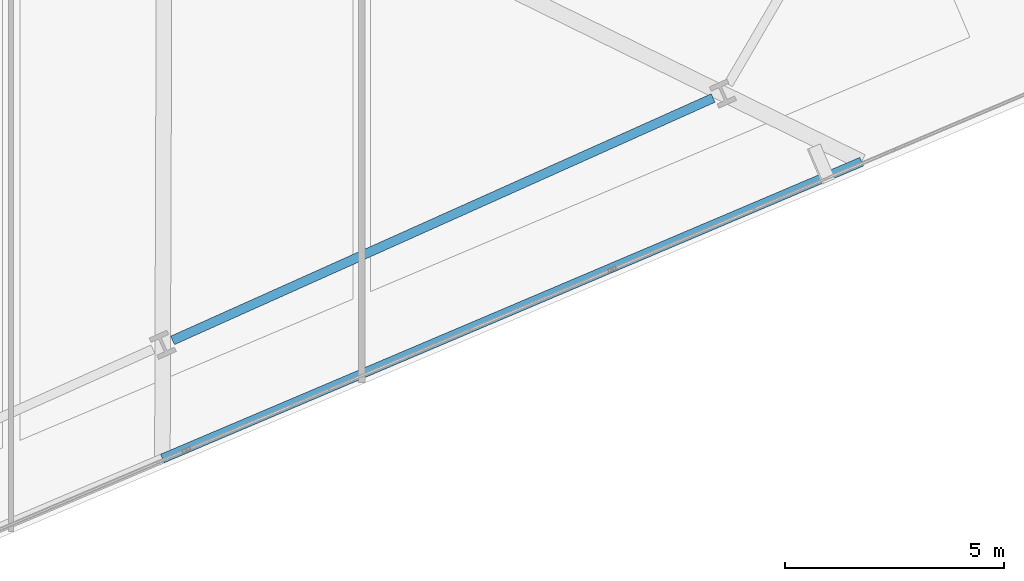
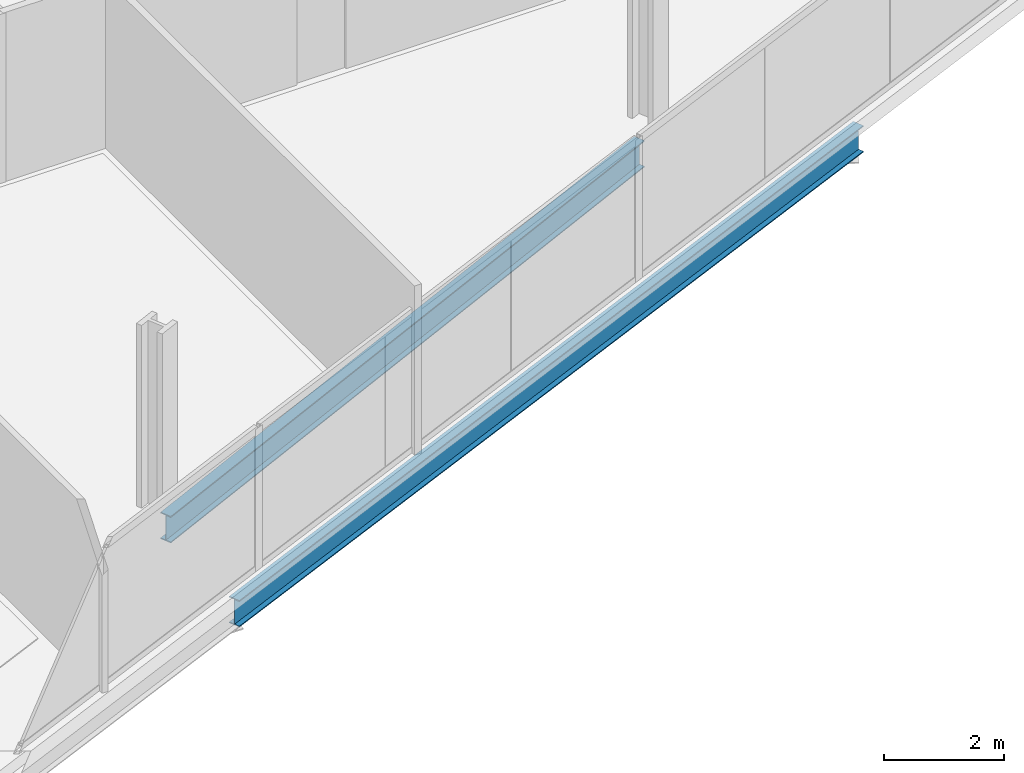
# One storey, part 9 of 34: 2 beams.
"""IFC4 building model written with IfcOpenShell, lengths in metres."""

from ifc_helpers import new_model, si_unit, direction, frame, origin, origin_2d, place, context, subcontext, project, spatial, i_section, extrude, material, material_profile, profile_set, type_object, element, save


model = new_model("IFC4")

# Units and contexts
model_context = context("Model", 3, precision=1e-05, world=origin(), true_north=direction((0.0, 1.0)))
body_context = subcontext(model_context, "Body", "Model", "MODEL_VIEW")
ifc_project = project(units=[si_unit("LENGTHUNIT", "METRE"), si_unit("AREAUNIT", "SQUARE_METRE"), si_unit("VOLUMEUNIT", "CUBIC_METRE"), si_unit("PLANEANGLEUNIT", "RADIAN"), si_unit("MASSUNIT", "GRAM", prefix="KILO")], contexts=[model_context])

# Site, building, storey
site_placement = place(None, origin())
site = spatial("IfcSite", under=ifc_project, at=site_placement, CompositionType="ELEMENT")
building_placement = place(site_placement, origin())
building = spatial("IfcBuilding", under=site, at=building_placement, Name="Haldenkirk Collegiate Tower", CompositionType="ELEMENT")
storey_placement = place(building_placement, frame((0.0, 0.0, 105.449951171875)))
storey = spatial("IfcBuildingStorey", under=building, at=storey_placement, Name="L25", CompositionType="ELEMENT", Elevation=105.449951171875)

# Beams
ifc_material = material(Name="Steel ASTM A992 Grade 50", Category="steel")
ifc_material_profile = material_profile(ifc_material, i_section(OverallWidth=0.2119140625, OverallDepth=0.5439453125, WebThickness=0.01318359375, FlangeThickness=0.021240234375, at=origin_2d()), Name="W21X83")
ifc_profile_set = profile_set([ifc_material_profile], Name="Steel ASTM A992 Grade 50")
beam_type = type_object("IfcBeamType", Name="BM-SPANDREL-W21X83", PredefinedType="SPANDREL", material=ifc_profile_set)
beam_1_placement = place(storey_placement, frame((45.183837890625, 6.1171875, -0.572021484375), z_axis=(0.912476765144, 0.409128528793, 0.0), x_axis=(-0.409128528793, 0.912476765144, 0.0)))
element("IfcBeam", 1, at=beam_1_placement, inside=storey, type_object=beam_type, Name="L25 perimeter spandrel beam 03", PredefinedType="SPANDREL", context=body_context, shape_type="SweptSolid", body=[
    extrude(i_section(OverallWidth=0.2119140625, OverallDepth=0.5439453125, WebThickness=0.01318359375, FlangeThickness=0.021240234375, at=origin_2d()), origin(), (0.0, 0.0, 1.0), 13.512939453125),
])
beam_2_placement = place(storey_placement, frame((44.951171875, 3.422607421875, -0.572021484375), z_axis=(0.920505933686, 0.39072858361, 0.0), x_axis=(-0.39072858361, 0.920505933686, 0.0)))
element("IfcBeam", 2, at=beam_2_placement, inside=storey, type_object=beam_type, Name="L25 outer facade edge beam 1B", PredefinedType="SPANDREL", context=body_context, shape_type="SweptSolid", body=[
    extrude(i_section(OverallWidth=0.2119140625, OverallDepth=0.5439453125, WebThickness=0.01318359375, FlangeThickness=0.021240234375, at=origin_2d()), origin(), (0.0, 0.0, 1.0), 17.327880859375),
])

save(model, "model.ifc")
